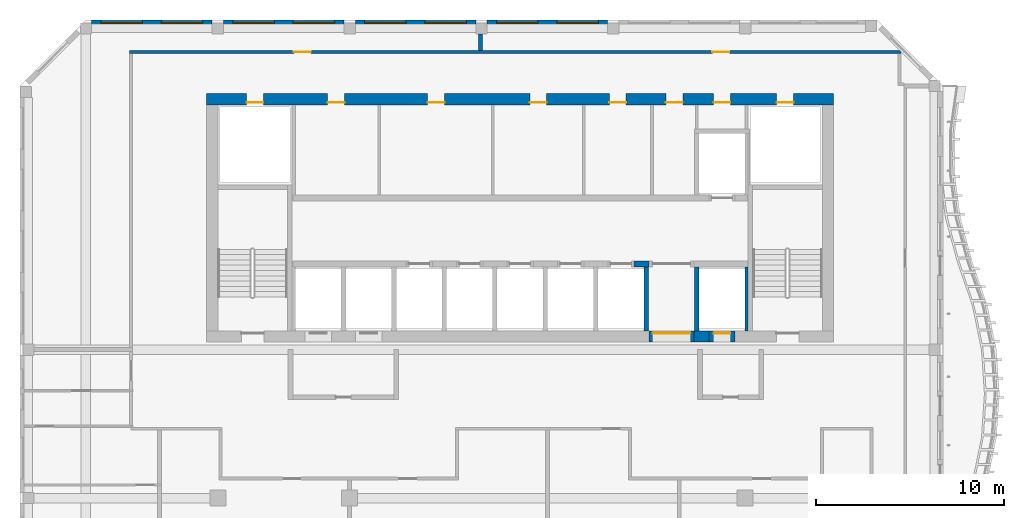
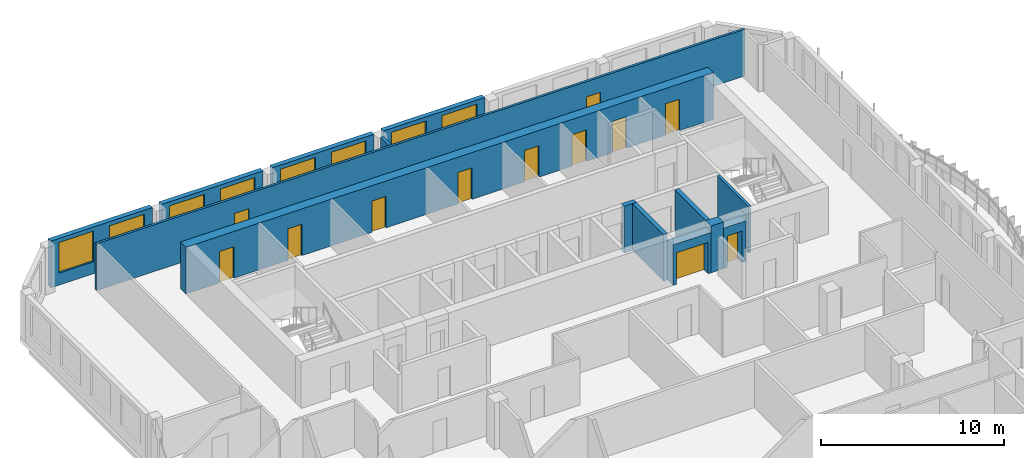
# One storey, part 7 of 17: 14 walls, 12 doors, 8 windows, 20 openings.
"""IFC4 building model written with IfcOpenShell, lengths in metres."""

from ifc_helpers import new_model, si_unit, direction, frame, frame_2d, origin, place, context, subcontext, project, spatial, rectangle, extrude, source, transform, mapped, material, layer, layer_set, type_object, element, fill, save


model = new_model("IFC4")

# Units and contexts
model_context = context("Model", 3, precision=1e-05, world=origin(), true_north=direction((0.0, 1.0)))
body_context = subcontext(model_context, "Body", "Model", "MODEL_VIEW")
ifc_project = project(units=[si_unit("LENGTHUNIT", "METRE"), si_unit("AREAUNIT", "SQUARE_METRE"), si_unit("VOLUMEUNIT", "CUBIC_METRE"), si_unit("PLANEANGLEUNIT", "RADIAN"), si_unit("MASSUNIT", "GRAM", prefix="KILO")], contexts=[model_context])

# Site, building, storey
site_placement = place(None, origin())
site = spatial("IfcSite", under=ifc_project, at=site_placement, CompositionType="ELEMENT")
building_placement = place(site_placement, origin())
building = spatial("IfcBuilding", under=site, at=building_placement, Name="Kilnfold Tower and Market Hall", CompositionType="ELEMENT")
storey_placement = place(building_placement, frame((0.0, 0.0, 305.199951171875)))
storey = spatial("IfcBuildingStorey", under=building, at=storey_placement, Name="L76", CompositionType="ELEMENT", Elevation=305.199951171875)

# Wall, openings, doors
ifc_material_1 = material(Name="Gypsum board on steel studs", Category="steel")
ifc_layer_1 = layer(ifc_material_1, 0.14990234375)
ifc_layer_set_1 = layer_set([ifc_layer_1], Name="Gypsum board on steel studs")
wall_type_1 = type_object("IfcWallType", Name="WALL CORRIDOR 150", PredefinedType="PARTITIONING", material=ifc_layer_set_1)
wall_1_placement = place(storey_placement, frame((-19.675048828125, 23.800048828125, 0.0), z_axis=(0.0, 0.0, 1.0), x_axis=(1.0, 0.0, 0.0)))
wall_1 = element("IfcWall", 1, at=wall_1_placement, inside=storey, type_object=wall_type_1, Name="Partition LY46.7", PredefinedType="PARTITIONING", context=body_context, shape_type="SweptSolid", body=[
    extrude(rectangle(XDim=40.949951171875, YDim=0.14990234375, at=frame_2d((20.47509765625, 0.0))), origin(), (0.0, 0.0, 1.0), 3.1201171875),
])
opening_1_placement = place(wall_1_placement, frame((8.716064453125, 0.0, 0.0)))
opening_1 = element("IfcOpeningElement", 2, at=opening_1_placement, cuts=wall_1, Name="Opening D2", PredefinedType="OPENING", context=body_context, shape_type="SweptSolid", body=[
    extrude(rectangle(XDim=0.89990234375, YDim=2.10009765625, at=frame_2d((0.449951171875, 1.050048828125))), frame((0.0, 0.0849609375, 0.0), z_axis=(0.0, -1.0, 0.0), x_axis=(1.0, 0.0, 0.0)), (0.0, 0.0, 1.0), 0.169921875),
])
opening_2_placement = place(wall_1_placement, frame((30.93408203125, 0.0, 0.0)))
opening_2 = element("IfcOpeningElement", 3, at=opening_2_placement, cuts=wall_1, Name="Opening D2", PredefinedType="OPENING", context=body_context, shape_type="SweptSolid", body=[
    extrude(rectangle(XDim=0.89990234375, YDim=2.10009765625, at=frame_2d((0.449951171875, 1.050048828125))), frame((0.0, 0.0849609375, 0.0), z_axis=(0.0, -1.0, 0.0), x_axis=(1.0, 0.0, 0.0)), (0.0, 0.0, 1.0), 0.169921875),
])
ifc_material_2 = material(Name="Timber veneer door leaf in steel frame", Category="steel")
door_type_1 = type_object("IfcDoorType", Name="DOOR ROOM 900 X2100", OperationType="NOTDEFINED", PredefinedType="DOOR", material=ifc_material_2)
door_1_placement = place(opening_1_placement, origin())
door_1 = element("IfcDoor", 4, at=door_1_placement, inside=storey, type_object=door_type_1, Name="Door D2", OperationType="SINGLE_SWING_LEFT", OverallHeight=2.10009765625, OverallWidth=0.89990234375, PredefinedType="DOOR", context=body_context, shape_type="SweptSolid", body=[
    extrude(rectangle(XDim=0.89990234375, YDim=2.10009765625, at=frame_2d((0.449951171875, 1.050048828125))), frame((0.0, 0.02490234375, 0.0), z_axis=(0.0, -1.0, 0.0), x_axis=(1.0, 0.0, 0.0)), (0.0, 0.0, 1.0), 0.050048828125),
])
fill(opening_1, door_1)
door_2_placement = place(opening_2_placement, origin())
door_2 = element("IfcDoor", 5, at=door_2_placement, inside=storey, type_object=door_type_1, Name="Door D2", OperationType="SINGLE_SWING_RIGHT", OverallHeight=2.10009765625, OverallWidth=0.89990234375, PredefinedType="DOOR", context=body_context, shape_type="SweptSolid", body=[
    extrude(rectangle(XDim=0.89990234375, YDim=2.10009765625, at=frame_2d((0.449951171875, 1.050048828125))), frame((0.0, 0.02490234375, 0.0), z_axis=(0.0, -1.0, 0.0), x_axis=(1.0, 0.0, 0.0)), (0.0, 0.0, 1.0), 0.050048828125),
])
fill(opening_2, door_2)

# Walls
ifc_material_3 = material(Name="Gypsum board on steel studs", Category="steel")
ifc_layer_2 = layer(ifc_material_3, 0.199951171875)
ifc_layer_set_2 = layer_set([ifc_layer_2], Name="Gypsum board on steel studs")
wall_type_2 = type_object("IfcWallType", Name="WALL PARTY 200", PredefinedType="PARTITIONING", material=ifc_layer_set_2)
wall_2_placement = place(storey_placement, frame((-1.052001953125, 23.876953125, 0.0), z_axis=(0.0, 0.0, 1.0), x_axis=(0.0, 1.0, 0.0)))
element("IfcWall", 6, at=wall_2_placement, inside=storey, type_object=wall_type_2, Name="Partition LY46.59", PredefinedType="PARTITIONING", context=body_context, shape_type="SweptSolid", body=[
    extrude(rectangle(XDim=0.873046875, YDim=0.199951171875, at=frame_2d((0.4365234375, 0.0))), origin(), (0.0, 0.0, 1.0), 3.1201171875),
])
ifc_material_4 = material(Name="Concrete C50", Category="concrete")
ifc_layer_3 = layer(ifc_material_4, 0.300048828125)
ifc_layer_set_3 = layer_set([ifc_layer_3], Name="Concrete C50")
wall_type_3 = type_object("IfcWallType", Name="CORE WALL 300 C50", PredefinedType="SHEAR", material=ifc_layer_set_3)
shared_shape_1 = source(origin(), body_context, "Body", "SweptSolid", [
    extrude(rectangle(XDim=0.77978515625, YDim=0.300048828125, at=frame_2d((0.389892578125, 0.0))), origin(), (0.0, 0.0, 1.0), 3.1201171875),
])
wall_3_placement = place(storey_placement, frame((7.110107421875, 12.550048828125, 0.0), z_axis=(0.0, 0.0, 1.0), x_axis=(1.0, 0.0, 0.0)))
element("IfcWall", 7, at=wall_3_placement, inside=storey, type_object=wall_type_3, Name="Core spine wall", PredefinedType="SHEAR", context=body_context, shape_type="MappedRepresentation", body=[
    mapped(shared_shape_1, transform((0.0, 0.0, 0.0))),
])
ifc_material_5 = material(Name="Concrete C50", Category="concrete")
ifc_layer_4 = layer(ifc_material_5, 0.60009765625)
ifc_layer_set_4 = layer_set([ifc_layer_4], Name="Concrete C50")
wall_type_4 = type_object("IfcWallType", Name="CORE WALL 600 C50", PredefinedType="SHEAR", material=ifc_layer_set_4)
shared_shape_2 = source(origin(), body_context, "Body", "SweptSolid", [
    extrude(rectangle(XDim=0.780029296875, YDim=0.60009765625, at=frame_2d((0.39013671875, 0.0))), origin(), (0.0, 0.0, 1.0), 3.1201171875),
])
wall_4_placement = place(storey_placement, frame((10.2900390625, 8.699951171875, 0.0), z_axis=(0.0, 0.0, 1.0), x_axis=(1.0, 0.0, 0.0)))
element("IfcWall", 8, at=wall_4_placement, inside=storey, type_object=wall_type_4, Name="Core outer wall south", PredefinedType="SHEAR", context=body_context, shape_type="MappedRepresentation", body=[
    mapped(shared_shape_2, transform((0.0, 0.0, 0.0))),
])

# Wall, openings, doors
shared_shape_3 = source(origin(), body_context, "Body", "SweptSolid", [
    extrude(rectangle(XDim=33.300048828125, YDim=0.60009765625, at=frame_2d((16.64990234375, 0.0))), origin(), (0.0, 0.0, 1.0), 3.1201171875),
])
wall_5_placement = place(storey_placement, frame((-15.60009765625, 21.300048828125, 0.0), z_axis=(0.0, 0.0, 1.0), x_axis=(1.0, 0.0, 0.0)))
wall_5 = element("IfcWall", 9, at=wall_5_placement, inside=storey, type_object=wall_type_4, Name="Core outer wall north", PredefinedType="SHEAR", context=body_context, shape_type="MappedRepresentation", body=[
    mapped(shared_shape_3, transform((0.0, 0.0, 0.0))),
])
opening_3_placement = place(wall_5_placement, frame((6.431396484375, 0.0, 0.0)))
opening_3 = element("IfcOpeningElement", 10, at=opening_3_placement, cuts=wall_5, Name="Opening KD1", PredefinedType="OPENING", context=body_context, shape_type="SweptSolid", body=[
    extrude(rectangle(XDim=0.89990234375, YDim=2.10009765625, at=frame_2d((0.449951171875, 1.050048828125))), frame((0.0, 0.31005859375, 0.0), z_axis=(0.0, -1.0, 0.0), x_axis=(1.0, 0.0, 0.0)), (0.0, 0.0, 1.0), 0.6201171875),
])
opening_4_placement = place(wall_5_placement, frame((11.73779296875, 0.0, 0.0)))
opening_4 = element("IfcOpeningElement", 11, at=opening_4_placement, cuts=wall_5, Name="Opening KD1", PredefinedType="OPENING", context=body_context, shape_type="SweptSolid", body=[
    extrude(rectangle(XDim=0.89990234375, YDim=2.10009765625, at=frame_2d((0.449951171875, 1.050048828125))), frame((0.0, 0.31005859375, 0.0), z_axis=(0.0, -1.0, 0.0), x_axis=(1.0, 0.0, 0.0)), (0.0, 0.0, 1.0), 0.6201171875),
])
opening_5_placement = place(wall_5_placement, frame((17.164794921875, 0.0, 0.0)))
opening_5 = element("IfcOpeningElement", 12, at=opening_5_placement, cuts=wall_5, Name="Opening KD1", PredefinedType="OPENING", context=body_context, shape_type="SweptSolid", body=[
    extrude(rectangle(XDim=0.89990234375, YDim=2.10009765625, at=frame_2d((0.449951171875, 1.050048828125))), frame((0.0, 0.31005859375, 0.0), z_axis=(0.0, -1.0, 0.0), x_axis=(1.0, 0.0, 0.0)), (0.0, 0.0, 1.0), 0.6201171875),
])
opening_6_placement = place(wall_5_placement, frame((21.3857421875, 0.0, 0.0)))
opening_6 = element("IfcOpeningElement", 13, at=opening_6_placement, cuts=wall_5, Name="Opening KD1", PredefinedType="OPENING", context=body_context, shape_type="SweptSolid", body=[
    extrude(rectangle(XDim=0.89990234375, YDim=2.10009765625, at=frame_2d((0.449951171875, 1.050048828125))), frame((0.0, 0.31005859375, 0.0), z_axis=(0.0, -1.0, 0.0), x_axis=(1.0, 0.0, 0.0)), (0.0, 0.0, 1.0), 0.6201171875),
])
opening_7_placement = place(wall_5_placement, frame((24.387451171875, 0.0, 0.0)))
opening_7 = element("IfcOpeningElement", 14, at=opening_7_placement, cuts=wall_5, Name="Opening KD1", PredefinedType="OPENING", context=body_context, shape_type="SweptSolid", body=[
    extrude(rectangle(XDim=0.89990234375, YDim=2.10009765625, at=frame_2d((0.449951171875, 1.050048828125))), frame((0.0, 0.31005859375, 0.0), z_axis=(0.0, -1.0, 0.0), x_axis=(1.0, 0.0, 0.0)), (0.0, 0.0, 1.0), 0.6201171875),
])
opening_8_placement = place(wall_5_placement, frame((26.919921875, 0.0, 0.0)))
opening_8 = element("IfcOpeningElement", 15, at=opening_8_placement, cuts=wall_5, Name="Opening KD1", PredefinedType="OPENING", context=body_context, shape_type="SweptSolid", body=[
    extrude(rectangle(XDim=0.89990234375, YDim=2.10009765625, at=frame_2d((0.449951171875, 1.050048828125))), frame((0.0, 0.31005859375, 0.0), z_axis=(0.0, -1.0, 0.0), x_axis=(1.0, 0.0, 0.0)), (0.0, 0.0, 1.0), 0.6201171875),
])
opening_9_placement = place(wall_5_placement, frame((2.125, 0.0, 0.0)))
opening_9 = element("IfcOpeningElement", 16, at=opening_9_placement, cuts=wall_5, Name="Opening KD1", PredefinedType="OPENING", context=body_context, shape_type="SweptSolid", body=[
    extrude(rectangle(XDim=0.89990234375, YDim=2.10009765625, at=frame_2d((0.449951171875, 1.050048828125))), frame((0.0, 0.31005859375, 0.0), z_axis=(0.0, -1.0, 0.0), x_axis=(1.0, 0.0, 0.0)), (0.0, 0.0, 1.0), 0.6201171875),
])
opening_10_placement = place(wall_5_placement, frame((30.27490234375, 0.0, 0.0)))
opening_10 = element("IfcOpeningElement", 17, at=opening_10_placement, cuts=wall_5, Name="Opening KD1", PredefinedType="OPENING", context=body_context, shape_type="SweptSolid", body=[
    extrude(rectangle(XDim=0.89990234375, YDim=2.10009765625, at=frame_2d((0.449951171875, 1.050048828125))), frame((0.0, 0.31005859375, 0.0), z_axis=(0.0, -1.0, 0.0), x_axis=(1.0, 0.0, 0.0)), (0.0, 0.0, 1.0), 0.6201171875),
])
ifc_material_6 = material(Name="Steel door set with fire-resisting leaf", Category="steel")
door_type_2 = type_object("IfcDoorType", Name="SERVICE DOOR 900X2100", OperationType="NOTDEFINED", PredefinedType="DOOR", material=ifc_material_6)
door_3_placement = place(opening_3_placement, origin())
door_3 = element("IfcDoor", 18, at=door_3_placement, inside=storey, type_object=door_type_2, Name="Core service door", OperationType="SINGLE_SWING_RIGHT", OverallHeight=2.10009765625, OverallWidth=0.89990234375, PredefinedType="DOOR", context=body_context, shape_type="SweptSolid", body=[
    extrude(rectangle(XDim=0.89990234375, YDim=2.10009765625, at=frame_2d((0.449951171875, 1.050048828125))), frame((0.0, -0.15478515625, 0.0), z_axis=(0.0, -1.0, 0.0), x_axis=(1.0, 0.0, 0.0)), (0.0, 0.0, 1.0), 0.050048828125),
])
fill(opening_3, door_3)
door_4_placement = place(opening_4_placement, origin())
door_4 = element("IfcDoor", 19, at=door_4_placement, inside=storey, type_object=door_type_2, Name="Core service door", OperationType="SINGLE_SWING_LEFT", OverallHeight=2.10009765625, OverallWidth=0.89990234375, PredefinedType="DOOR", context=body_context, shape_type="SweptSolid", body=[
    extrude(rectangle(XDim=0.89990234375, YDim=2.10009765625, at=frame_2d((0.449951171875, 1.050048828125))), frame((0.0, -0.15478515625, 0.0), z_axis=(0.0, -1.0, 0.0), x_axis=(1.0, 0.0, 0.0)), (0.0, 0.0, 1.0), 0.050048828125),
])
fill(opening_4, door_4)
door_5_placement = place(opening_5_placement, origin())
door_5 = element("IfcDoor", 20, at=door_5_placement, inside=storey, type_object=door_type_2, Name="Core service door", OperationType="SINGLE_SWING_RIGHT", OverallHeight=2.10009765625, OverallWidth=0.89990234375, PredefinedType="DOOR", context=body_context, shape_type="SweptSolid", body=[
    extrude(rectangle(XDim=0.89990234375, YDim=2.10009765625, at=frame_2d((0.449951171875, 1.050048828125))), frame((0.0, -0.15478515625, 0.0), z_axis=(0.0, -1.0, 0.0), x_axis=(1.0, 0.0, 0.0)), (0.0, 0.0, 1.0), 0.050048828125),
])
fill(opening_5, door_5)
door_6_placement = place(opening_6_placement, origin())
door_6 = element("IfcDoor", 21, at=door_6_placement, inside=storey, type_object=door_type_2, Name="Core service door", OperationType="SINGLE_SWING_LEFT", OverallHeight=2.10009765625, OverallWidth=0.89990234375, PredefinedType="DOOR", context=body_context, shape_type="SweptSolid", body=[
    extrude(rectangle(XDim=0.89990234375, YDim=2.10009765625, at=frame_2d((0.449951171875, 1.050048828125))), frame((0.0, -0.15478515625, 0.0), z_axis=(0.0, -1.0, 0.0), x_axis=(1.0, 0.0, 0.0)), (0.0, 0.0, 1.0), 0.050048828125),
])
fill(opening_6, door_6)
door_7_placement = place(opening_7_placement, origin())
door_7 = element("IfcDoor", 22, at=door_7_placement, inside=storey, type_object=door_type_2, Name="Core service door", OperationType="SINGLE_SWING_RIGHT", OverallHeight=2.10009765625, OverallWidth=0.89990234375, PredefinedType="DOOR", context=body_context, shape_type="SweptSolid", body=[
    extrude(rectangle(XDim=0.89990234375, YDim=2.10009765625, at=frame_2d((0.449951171875, 1.050048828125))), frame((0.0, -0.15478515625, 0.0), z_axis=(0.0, -1.0, 0.0), x_axis=(1.0, 0.0, 0.0)), (0.0, 0.0, 1.0), 0.050048828125),
])
fill(opening_7, door_7)
door_8_placement = place(opening_8_placement, origin())
door_8 = element("IfcDoor", 23, at=door_8_placement, inside=storey, type_object=door_type_2, Name="Core service door", OperationType="SINGLE_SWING_LEFT", OverallHeight=2.10009765625, OverallWidth=0.89990234375, PredefinedType="DOOR", context=body_context, shape_type="SweptSolid", body=[
    extrude(rectangle(XDim=0.89990234375, YDim=2.10009765625, at=frame_2d((0.449951171875, 1.050048828125))), frame((0.0, -0.15478515625, 0.0), z_axis=(0.0, -1.0, 0.0), x_axis=(1.0, 0.0, 0.0)), (0.0, 0.0, 1.0), 0.050048828125),
])
fill(opening_8, door_8)
door_9_placement = place(opening_9_placement, origin())
door_9 = element("IfcDoor", 24, at=door_9_placement, inside=storey, type_object=door_type_2, Name="Electrical riser access door", OperationType="SINGLE_SWING_RIGHT", OverallHeight=2.10009765625, OverallWidth=0.89990234375, PredefinedType="DOOR", context=body_context, shape_type="SweptSolid", body=[
    extrude(rectangle(XDim=0.89990234375, YDim=2.10009765625, at=frame_2d((0.449951171875, 1.050048828125))), frame((0.0, -0.15478515625, 0.0), z_axis=(0.0, -1.0, 0.0), x_axis=(1.0, 0.0, 0.0)), (0.0, 0.0, 1.0), 0.050048828125),
])
fill(opening_9, door_9)
door_10_placement = place(opening_10_placement, origin())
door_10 = element("IfcDoor", 25, at=door_10_placement, inside=storey, type_object=door_type_2, Name="Mechanical riser access door", OperationType="SINGLE_SWING_LEFT", OverallHeight=2.10009765625, OverallWidth=0.89990234375, PredefinedType="DOOR", context=body_context, shape_type="SweptSolid", body=[
    extrude(rectangle(XDim=0.89990234375, YDim=2.10009765625, at=frame_2d((0.449951171875, 1.050048828125))), frame((0.0, -0.15478515625, 0.0), z_axis=(0.0, -1.0, 0.0), x_axis=(1.0, 0.0, 0.0)), (0.0, 0.0, 1.0), 0.050048828125),
])
fill(opening_10, door_10)

# Wall, openings, windows
ifc_material_7 = material(Name="Precast concrete C50/60", Category="concrete")
ifc_layer_5 = layer(ifc_material_7, 0.300048828125)
ifc_layer_set_5 = layer_set([ifc_layer_5], Name="Precast concrete C50/60")
wall_type_5 = type_object("IfcWallType", Name="PRECAST WALL 300", PredefinedType="SOLIDWALL", material=ifc_layer_set_5)
shared_shape_4 = source(origin(), body_context, "Body", "SweptSolid", [
    extrude(rectangle(XDim=6.39990234375, YDim=0.300048828125, at=frame_2d((3.199951171875, 0.0))), origin(), (0.0, 0.0, 1.0), 3.1201171875),
])
wall_6_placement = place(storey_placement, frame((5.699951171875, 25.35009765625, 0.0), z_axis=(0.0, 0.0, 1.0), x_axis=(-1.0, 0.0, 0.0)))
wall_6 = element("IfcWall", 26, at=wall_6_placement, inside=storey, type_object=wall_type_5, Name="External wall L76 N", PredefinedType="SOLIDWALL", context=body_context, shape_type="MappedRepresentation", body=[
    mapped(shared_shape_4, transform((0.0, 0.0, 0.0))),
])
opening_11_placement = place(wall_6_placement, frame((0.5, 0.0, 0.800048828125)))
opening_11 = element("IfcOpeningElement", 27, at=opening_11_placement, cuts=wall_6, Name="Opening W3", PredefinedType="OPENING", context=body_context, shape_type="SweptSolid", body=[
    extrude(rectangle(XDim=2.199951171875, YDim=2.050048828125, at=frame_2d((1.10009765625, 1.02490234375))), frame((0.0, 0.16015625, 0.0), z_axis=(0.0, -1.0, 0.0), x_axis=(1.0, 0.0, 0.0)), (0.0, 0.0, 1.0), 0.320068359375),
])
opening_12_placement = place(wall_6_placement, frame((3.699951171875, 0.0, 0.800048828125)))
opening_12 = element("IfcOpeningElement", 28, at=opening_12_placement, cuts=wall_6, Name="Opening W3", PredefinedType="OPENING", context=body_context, shape_type="SweptSolid", body=[
    extrude(rectangle(XDim=2.199951171875, YDim=2.050048828125, at=frame_2d((1.10009765625, 1.02490234375))), frame((0.0, 0.16015625, 0.0), z_axis=(0.0, -1.0, 0.0), x_axis=(1.0, 0.0, 0.0)), (0.0, 0.0, 1.0), 0.320068359375),
])
ifc_material_8 = material(Name="Aluminium frame and double glazing", Category="aluminium")
window_type = type_object("IfcWindowType", Name="WINDOW W3 2200X2050", PartitioningType="SINGLE_PANEL", PredefinedType="WINDOW", material=ifc_material_8)
window_1_placement = place(opening_11_placement, origin())
window_1 = element("IfcWindow", 29, at=window_1_placement, inside=storey, type_object=window_type, Name="Window W3 L76 N-1", OverallHeight=2.050048828125, OverallWidth=2.199951171875, PartitioningType="SINGLE_PANEL", PredefinedType="WINDOW", context=body_context, shape_type="SweptSolid", body=[
    extrude(rectangle(XDim=2.199951171875, YDim=2.050048828125, at=frame_2d((1.10009765625, 1.02490234375))), frame((0.0, 0.030029296875, 0.0), z_axis=(0.0, -1.0, 0.0), x_axis=(1.0, 0.0, 0.0)), (0.0, 0.0, 1.0), 0.06005859375),
])
fill(opening_11, window_1)
window_2_placement = place(opening_12_placement, origin())
window_2 = element("IfcWindow", 30, at=window_2_placement, inside=storey, type_object=window_type, Name="Window W3 L76 N-2", OverallHeight=2.050048828125, OverallWidth=2.199951171875, PartitioningType="SINGLE_PANEL", PredefinedType="WINDOW", context=body_context, shape_type="SweptSolid", body=[
    extrude(rectangle(XDim=2.199951171875, YDim=2.050048828125, at=frame_2d((1.10009765625, 1.02490234375))), frame((0.0, 0.030029296875, 0.0), z_axis=(0.0, -1.0, 0.0), x_axis=(1.0, 0.0, 0.0)), (0.0, 0.0, 1.0), 0.06005859375),
])
fill(opening_12, window_2)

wall_7_placement = place(storey_placement, frame((-1.300048828125, 25.35009765625, 0.0), z_axis=(0.0, 0.0, 1.0), x_axis=(-1.0, 0.0, 0.0)))
wall_7 = element("IfcWall", 31, at=wall_7_placement, inside=storey, type_object=wall_type_5, Name="External wall L76 N", PredefinedType="SOLIDWALL", context=body_context, shape_type="MappedRepresentation", body=[
    mapped(shared_shape_4, transform((0.0, 0.0, 0.0))),
])
opening_13_placement = place(wall_7_placement, frame((0.5, 0.0, 0.800048828125)))
opening_13 = element("IfcOpeningElement", 32, at=opening_13_placement, cuts=wall_7, Name="Opening W3", PredefinedType="OPENING", context=body_context, shape_type="SweptSolid", body=[
    extrude(rectangle(XDim=2.199951171875, YDim=2.050048828125, at=frame_2d((1.10009765625, 1.02490234375))), frame((0.0, 0.16015625, 0.0), z_axis=(0.0, -1.0, 0.0), x_axis=(1.0, 0.0, 0.0)), (0.0, 0.0, 1.0), 0.320068359375),
])
opening_14_placement = place(wall_7_placement, frame((3.699951171875, 0.0, 0.800048828125)))
opening_14 = element("IfcOpeningElement", 33, at=opening_14_placement, cuts=wall_7, Name="Opening W3", PredefinedType="OPENING", context=body_context, shape_type="SweptSolid", body=[
    extrude(rectangle(XDim=2.199951171875, YDim=2.050048828125, at=frame_2d((1.10009765625, 1.02490234375))), frame((0.0, 0.16015625, 0.0), z_axis=(0.0, -1.0, 0.0), x_axis=(1.0, 0.0, 0.0)), (0.0, 0.0, 1.0), 0.320068359375),
])
window_3_placement = place(opening_13_placement, origin())
window_3 = element("IfcWindow", 34, at=window_3_placement, inside=storey, type_object=window_type, Name="Window W3 L76 N-1", OverallHeight=2.050048828125, OverallWidth=2.199951171875, PartitioningType="SINGLE_PANEL", PredefinedType="WINDOW", context=body_context, shape_type="SweptSolid", body=[
    extrude(rectangle(XDim=2.199951171875, YDim=2.050048828125, at=frame_2d((1.10009765625, 1.02490234375))), frame((0.0, 0.030029296875, 0.0), z_axis=(0.0, -1.0, 0.0), x_axis=(1.0, 0.0, 0.0)), (0.0, 0.0, 1.0), 0.06005859375),
])
fill(opening_13, window_3)
window_4_placement = place(opening_14_placement, origin())
window_4 = element("IfcWindow", 35, at=window_4_placement, inside=storey, type_object=window_type, Name="Window W3 L76 N-2", OverallHeight=2.050048828125, OverallWidth=2.199951171875, PartitioningType="SINGLE_PANEL", PredefinedType="WINDOW", context=body_context, shape_type="SweptSolid", body=[
    extrude(rectangle(XDim=2.199951171875, YDim=2.050048828125, at=frame_2d((1.10009765625, 1.02490234375))), frame((0.0, 0.030029296875, 0.0), z_axis=(0.0, -1.0, 0.0), x_axis=(1.0, 0.0, 0.0)), (0.0, 0.0, 1.0), 0.06005859375),
])
fill(opening_14, window_4)

wall_8_placement = place(storey_placement, frame((-8.300048828125, 25.35009765625, 0.0), z_axis=(0.0, 0.0, 1.0), x_axis=(-1.0, 0.0, 0.0)))
wall_8 = element("IfcWall", 36, at=wall_8_placement, inside=storey, type_object=wall_type_5, Name="External wall L76 N", PredefinedType="SOLIDWALL", context=body_context, shape_type="MappedRepresentation", body=[
    mapped(shared_shape_4, transform((0.0, 0.0, 0.0))),
])
opening_15_placement = place(wall_8_placement, frame((0.5, 0.0, 0.800048828125)))
opening_15 = element("IfcOpeningElement", 37, at=opening_15_placement, cuts=wall_8, Name="Opening W3", PredefinedType="OPENING", context=body_context, shape_type="SweptSolid", body=[
    extrude(rectangle(XDim=2.199951171875, YDim=2.050048828125, at=frame_2d((1.10009765625, 1.02490234375))), frame((0.0, 0.16015625, 0.0), z_axis=(0.0, -1.0, 0.0), x_axis=(1.0, 0.0, 0.0)), (0.0, 0.0, 1.0), 0.320068359375),
])
opening_16_placement = place(wall_8_placement, frame((3.699951171875, 0.0, 0.800048828125)))
opening_16 = element("IfcOpeningElement", 38, at=opening_16_placement, cuts=wall_8, Name="Opening W3", PredefinedType="OPENING", context=body_context, shape_type="SweptSolid", body=[
    extrude(rectangle(XDim=2.199951171875, YDim=2.050048828125, at=frame_2d((1.10009765625, 1.02490234375))), frame((0.0, 0.16015625, 0.0), z_axis=(0.0, -1.0, 0.0), x_axis=(1.0, 0.0, 0.0)), (0.0, 0.0, 1.0), 0.320068359375),
])
window_5_placement = place(opening_15_placement, origin())
window_5 = element("IfcWindow", 39, at=window_5_placement, inside=storey, type_object=window_type, Name="Window W3 L76 N-1", OverallHeight=2.050048828125, OverallWidth=2.199951171875, PartitioningType="SINGLE_PANEL", PredefinedType="WINDOW", context=body_context, shape_type="SweptSolid", body=[
    extrude(rectangle(XDim=2.199951171875, YDim=2.050048828125, at=frame_2d((1.10009765625, 1.02490234375))), frame((0.0, 0.030029296875, 0.0), z_axis=(0.0, -1.0, 0.0), x_axis=(1.0, 0.0, 0.0)), (0.0, 0.0, 1.0), 0.06005859375),
])
fill(opening_15, window_5)
window_6_placement = place(opening_16_placement, origin())
window_6 = element("IfcWindow", 40, at=window_6_placement, inside=storey, type_object=window_type, Name="Window W3 L76 N-2", OverallHeight=2.050048828125, OverallWidth=2.199951171875, PartitioningType="SINGLE_PANEL", PredefinedType="WINDOW", context=body_context, shape_type="SweptSolid", body=[
    extrude(rectangle(XDim=2.199951171875, YDim=2.050048828125, at=frame_2d((1.10009765625, 1.02490234375))), frame((0.0, 0.030029296875, 0.0), z_axis=(0.0, -1.0, 0.0), x_axis=(1.0, 0.0, 0.0)), (0.0, 0.0, 1.0), 0.06005859375),
])
fill(opening_16, window_6)

wall_9_placement = place(storey_placement, frame((-15.300048828125, 25.35009765625, 0.0), z_axis=(0.0, 0.0, 1.0), x_axis=(-1.0, 0.0, 0.0)))
wall_9 = element("IfcWall", 41, at=wall_9_placement, inside=storey, type_object=wall_type_5, Name="External wall L76 N", PredefinedType="SOLIDWALL", context=body_context, shape_type="MappedRepresentation", body=[
    mapped(shared_shape_4, transform((0.0, 0.0, 0.0))),
])
opening_17_placement = place(wall_9_placement, frame((0.5, 0.0, 0.800048828125)))
opening_17 = element("IfcOpeningElement", 42, at=opening_17_placement, cuts=wall_9, Name="Opening W3", PredefinedType="OPENING", context=body_context, shape_type="SweptSolid", body=[
    extrude(rectangle(XDim=2.199951171875, YDim=2.050048828125, at=frame_2d((1.10009765625, 1.02490234375))), frame((0.0, 0.16015625, 0.0), z_axis=(0.0, -1.0, 0.0), x_axis=(1.0, 0.0, 0.0)), (0.0, 0.0, 1.0), 0.320068359375),
])
opening_18_placement = place(wall_9_placement, frame((3.699951171875, 0.0, 0.800048828125)))
opening_18 = element("IfcOpeningElement", 43, at=opening_18_placement, cuts=wall_9, Name="Opening W3", PredefinedType="OPENING", context=body_context, shape_type="SweptSolid", body=[
    extrude(rectangle(XDim=2.199951171875, YDim=2.050048828125, at=frame_2d((1.10009765625, 1.02490234375))), frame((0.0, 0.16015625, 0.0), z_axis=(0.0, -1.0, 0.0), x_axis=(1.0, 0.0, 0.0)), (0.0, 0.0, 1.0), 0.320068359375),
])
window_7_placement = place(opening_17_placement, origin())
window_7 = element("IfcWindow", 44, at=window_7_placement, inside=storey, type_object=window_type, Name="Window W3 L76 N-1", OverallHeight=2.050048828125, OverallWidth=2.199951171875, PartitioningType="SINGLE_PANEL", PredefinedType="WINDOW", context=body_context, shape_type="SweptSolid", body=[
    extrude(rectangle(XDim=2.199951171875, YDim=2.050048828125, at=frame_2d((1.10009765625, 1.02490234375))), frame((0.0, 0.030029296875, 0.0), z_axis=(0.0, -1.0, 0.0), x_axis=(1.0, 0.0, 0.0)), (0.0, 0.0, 1.0), 0.06005859375),
])
fill(opening_17, window_7)
window_8_placement = place(opening_18_placement, origin())
window_8 = element("IfcWindow", 45, at=window_8_placement, inside=storey, type_object=window_type, Name="Window W3 L76 N-2", OverallHeight=2.050048828125, OverallWidth=2.199951171875, PartitioningType="SINGLE_PANEL", PredefinedType="WINDOW", context=body_context, shape_type="SweptSolid", body=[
    extrude(rectangle(XDim=2.199951171875, YDim=2.050048828125, at=frame_2d((1.10009765625, 1.02490234375))), frame((0.0, 0.030029296875, 0.0), z_axis=(0.0, -1.0, 0.0), x_axis=(1.0, 0.0, 0.0)), (0.0, 0.0, 1.0), 0.06005859375),
])
fill(opening_18, window_8)

# Walls
ifc_material_9 = material(Name="Gypsum shaft wall system")
ifc_layer_6 = layer(ifc_material_9, 0.25)
ifc_layer_set_6 = layer_set([ifc_layer_6], Name="Gypsum shaft wall system")
wall_type_6 = type_object("IfcWallType", Name="SHAFT WALL 250", PredefinedType="PARTITIONING", material=ifc_layer_set_6)
shared_shape_5 = source(origin(), body_context, "Body", "SweptSolid", [
    extrude(rectangle(XDim=3.39990234375, YDim=0.25, at=frame_2d((1.699951171875, 0.0))), origin(), (0.0, 0.0, 1.0), 3.1201171875),
])
for number, where, z_axis, x_axis, name in (
    (46, (10.429931640625, 9.0, 0.0), (0.0, 0.0, 1.0), (0.0, 1.0, 0.0), "Lift shaft wall"),
    (47, (7.75, 9.0, 0.0), (0.0, 0.0, 1.0), (0.0, 1.0, 0.0), "Lift shaft wall"),
):
    element("IfcWall", number, at=place(storey_placement, frame(where, z_axis=z_axis, x_axis=x_axis)), inside=storey, type_object=wall_type_6, Name=name, PredefinedType="PARTITIONING", context=body_context, shape_type="MappedRepresentation", body=[
        mapped(shared_shape_5, transform((0.0, 0.0, 0.0))),
    ])
ifc_material_10 = material(Name="Gypsum shaft wall system")
ifc_layer_7 = layer(ifc_material_10, 0.1650390625)
ifc_layer_set_7 = layer_set([ifc_layer_7], Name="Gypsum shaft wall system")
wall_type_7 = type_object("IfcWallType", Name="SHAFT WALL 165", PredefinedType="PARTITIONING", material=ifc_layer_set_7)
shared_shape_6 = source(origin(), body_context, "Body", "SweptSolid", [
    extrude(rectangle(XDim=3.39990234375, YDim=0.1650390625, at=frame_2d((1.699951171875, 0.0))), origin(), (0.0, 0.0, 1.0), 3.1201171875),
])
wall_10_placement = place(storey_placement, frame((13.0673828125, 9.0, 0.0), z_axis=(0.0, 0.0, 1.0), x_axis=(0.0, 1.0, 0.0)))
element("IfcWall", 48, at=wall_10_placement, inside=storey, type_object=wall_type_7, Name="Lift shaft wall", PredefinedType="PARTITIONING", context=body_context, shape_type="MappedRepresentation", body=[
    mapped(shared_shape_6, transform((0.0, 0.0, 0.0))),
])

# Wall, opening, door
ifc_material_11 = material(Name="Gypsum shaft wall system")
ifc_layer_8 = layer(ifc_material_11, 0.60009765625)
ifc_layer_set_8 = layer_set([ifc_layer_8], Name="Gypsum shaft wall system")
wall_type_8 = type_object("IfcWallType", Name="LOBBY WALL 600", PredefinedType="PARTITIONING", material=ifc_layer_set_8)
shared_shape_7 = source(origin(), body_context, "Body", "SweptSolid", [
    extrude(rectangle(XDim=1.39990234375, YDim=0.60009765625, at=frame_2d((0.699951171875, 0.0))), origin(), (0.0, 0.0, 1.0), 2.699951171875),
])
wall_11_placement = place(storey_placement, frame((11.070068359375, 8.699951171875, 0.0), z_axis=(0.0, 0.0, 1.0), x_axis=(1.0, 0.0, 0.0)))
wall_11 = element("IfcWall", 49, at=wall_11_placement, inside=storey, type_object=wall_type_8, Name="Core wall infill", PredefinedType="PARTITIONING", context=body_context, shape_type="MappedRepresentation", body=[
    mapped(shared_shape_7, transform((0.0, 0.0, 0.0))),
])
opening_19_placement = place(wall_11_placement, frame((0.25, 0.0, 0.0)))
opening_19 = element("IfcOpeningElement", 50, at=opening_19_placement, cuts=wall_11, Name="Opening LD1", PredefinedType="OPENING", context=body_context, shape_type="SweptSolid", body=[
    extrude(rectangle(XDim=0.89990234375, YDim=2.10009765625, at=frame_2d((0.449951171875, 1.050048828125))), frame((0.0, 0.31005859375, 0.0), z_axis=(0.0, -1.0, 0.0), x_axis=(1.0, 0.0, 0.0)), (0.0, 0.0, 1.0), 0.6201171875),
])
ifc_material_12 = material(Name="Steel door set with fire-resisting leaf", Category="steel")
door_type_3 = type_object("IfcDoorType", Name="FIREFIGHTING LANDING DOOR 900X2100", OperationType="NOTDEFINED", PredefinedType="DOOR", material=ifc_material_12)
door_11_placement = place(opening_19_placement, origin())
door_11 = element("IfcDoor", 51, at=door_11_placement, inside=storey, type_object=door_type_3, Name="Landing door FF3", OperationType="SLIDING_TO_LEFT", OverallHeight=2.10009765625, OverallWidth=0.89990234375, PredefinedType="DOOR", context=body_context, shape_type="SweptSolid", body=[
    extrude(rectangle(XDim=0.89990234375, YDim=2.10009765625, at=frame_2d((0.449951171875, 1.050048828125))), frame((0.0, 0.205078125, 0.0), z_axis=(0.0, -1.0, 0.0), x_axis=(1.0, 0.0, 0.0)), (0.0, 0.0, 1.0), 0.050048828125),
])
fill(opening_19, door_11)

shared_shape_8 = source(origin(), body_context, "Body", "SweptSolid", [
    extrude(rectangle(XDim=2.400146484375, YDim=0.60009765625, at=frame_2d((1.2001953125, 0.0))), origin(), (0.0, 0.0, 1.0), 2.699951171875),
])
wall_12_placement = place(storey_placement, frame((7.889892578125, 8.699951171875, 0.0), z_axis=(0.0, 0.0, 1.0), x_axis=(1.0, 0.0, 0.0)))
wall_12 = element("IfcWall", 52, at=wall_12_placement, inside=storey, type_object=wall_type_8, Name="Core wall infill", PredefinedType="PARTITIONING", context=body_context, shape_type="MappedRepresentation", body=[
    mapped(shared_shape_8, transform((0.0, 0.0, 0.0))),
])
opening_20_placement = place(wall_12_placement, frame((0.199951171875, 0.0, 0.0)))
opening_20 = element("IfcOpeningElement", 53, at=opening_20_placement, cuts=wall_12, Name="Opening VD2", PredefinedType="OPENING", context=body_context, shape_type="SweptSolid", body=[
    extrude(rectangle(XDim=2.0, YDim=2.10009765625, at=frame_2d((1.0, 1.050048828125))), frame((0.0, 0.31005859375, 0.0), z_axis=(0.0, -1.0, 0.0), x_axis=(1.0, 0.0, 0.0)), (0.0, 0.0, 1.0), 0.6201171875),
])
ifc_material_13 = material(Name="Steel door set with fire-resisting leaf", Category="steel")
door_type_4 = type_object("IfcDoorType", Name="LIFT LOBBY ENTRANCE DOOR 2000X2100", OperationType="NOTDEFINED", PredefinedType="DOOR", material=ifc_material_13)
door_12_placement = place(opening_20_placement, origin())
door_12 = element("IfcDoor", 54, at=door_12_placement, inside=storey, type_object=door_type_4, Name="Lift lobby entrance door", OperationType="DOUBLE_DOOR_SINGLE_SWING", OverallHeight=2.10009765625, OverallWidth=2.0, PredefinedType="DOOR", context=body_context, shape_type="SweptSolid", body=[
    extrude(rectangle(XDim=2.0, YDim=2.10009765625, at=frame_2d((1.0, 1.050048828125))), frame((0.0, 0.205078125, 0.0), z_axis=(0.0, -1.0, 0.0), x_axis=(1.0, 0.0, 0.0)), (0.0, 0.0, 1.0), 0.050048828125),
])
fill(opening_20, door_12)

save(model, "model.ifc")
